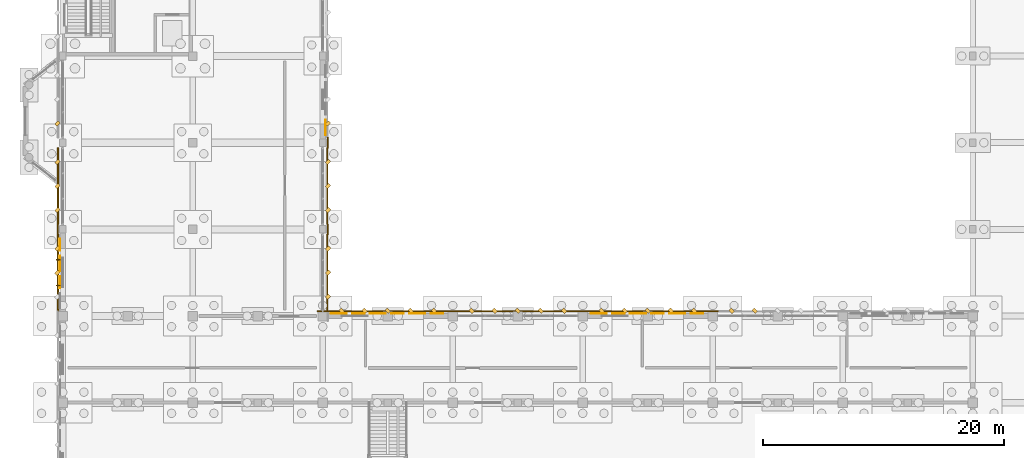
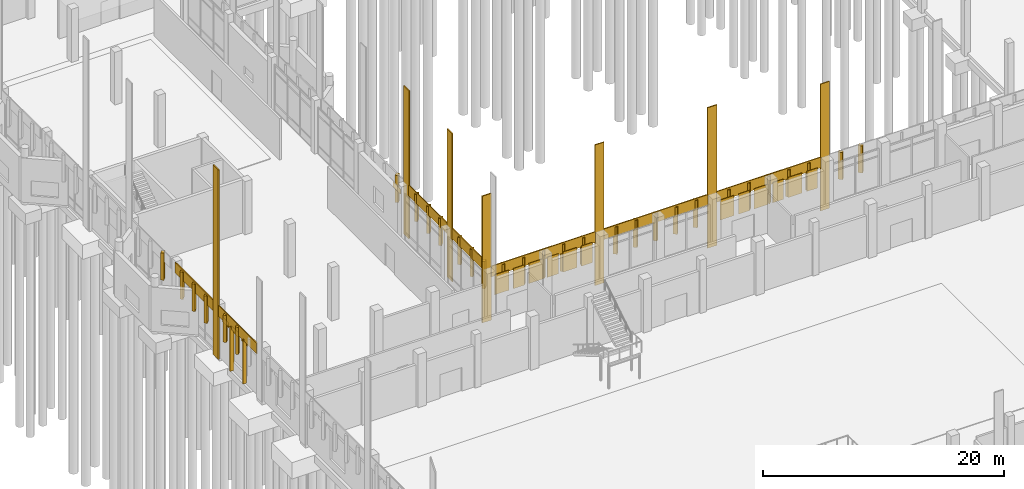
# One storey, part 96 of 109: 62 coverings.
"""IFC4 building model written with IfcOpenShell, lengths in metres."""

from ifc_helpers import new_model, si_unit, direction, frame, origin, origin_2d, place, context, subcontext, project, spatial, rectangle, extrude, material, layer, layer_set, type_object, element, save


model = new_model("IFC4")

# Units and contexts
model_context = context("Model", 3, precision=1e-05, world=origin(), true_north=direction((0.0, 1.0)))
body_context = subcontext(model_context, "Body", "Model", "MODEL_VIEW")
ifc_project = project(units=[si_unit("LENGTHUNIT", "METRE"), si_unit("AREAUNIT", "SQUARE_METRE"), si_unit("VOLUMEUNIT", "CUBIC_METRE"), si_unit("PLANEANGLEUNIT", "RADIAN"), si_unit("MASSUNIT", "GRAM", prefix="KILO")], contexts=[model_context])

# Site, building, storey
site_placement = place(None, origin())
site = spatial("IfcSite", under=ifc_project, at=site_placement, CompositionType="ELEMENT")
building_placement = place(site_placement, origin())
building = spatial("IfcBuilding", under=site, at=building_placement, Name="Lusvemor Sports Hall", CompositionType="ELEMENT")
storey_placement = place(building_placement, origin())
storey = spatial("IfcBuildingStorey", under=building, at=storey_placement, Name="L00", CompositionType="ELEMENT", Elevation=0.0)

# Coverings
ifc_material_1 = material(Name="Precast granite-faced Concrete C40/50 architectural cladding", Category="masonry")
ifc_layer_1 = layer(ifc_material_1, 0.055908203125)
ifc_layer_set_1 = layer_set([ifc_layer_1], Name="Precast granite-faced Concrete C40/50 architectural cladding")
covering_type_1 = type_object("IfcCoveringType", Name="CLAD_RELIEF_FRIEZE", PredefinedType="CLADDING", material=ifc_layer_set_1)
covering_1_placement = place(storey_placement, frame((-0.409912109375, 54.0, 0.0), z_axis=(0.0, 0.0, 1.0), x_axis=(1.0, 0.0, 0.0)))
element("IfcCovering", 1, at=covering_1_placement, inside=storey, type_object=covering_type_1, Name="Art Nouveau Pilaster Cladding Casing 980", PredefinedType="CLADDING", context=body_context, shape_type="SweptSolid", body=[
    extrude(rectangle(XDim=0.10009765625, YDim=0.8798828125, at=origin_2d()), origin(), (0.0, 0.0, 1.0), 19.199951171875),
])
for number, where, z_axis, x_axis, name in (
    (2, (22.010009765625, 54.0, 0.0), (0.0, 0.0, 1.0), (1.0, 0.0, 0.0), "Art Nouveau Pilaster Cladding Casing 1380"),
    (3, (22.010009765625, 61.199951171875, 0.0), (0.0, 0.0, 1.0), (1.0, 0.0, 0.0), "Art Nouveau Pilaster Cladding Casing 1381"),
):
    element("IfcCovering", number, at=place(storey_placement, frame(where, z_axis=z_axis, x_axis=x_axis)), inside=storey, type_object=covering_type_1, Name=name, PredefinedType="CLADDING", context=body_context, shape_type="SweptSolid", body=[
        extrude(rectangle(XDim=0.10009765625, YDim=0.8798828125, at=origin_2d()), origin(), (0.0, 0.0, 1.0), 15.0),
    ])
covering_2_placement = place(storey_placement, frame((21.60009765625, 47.2099609375, 0.0), z_axis=(0.0, 0.0, 1.0), x_axis=(1.0, 0.0, 0.0)))
element("IfcCovering", 4, at=covering_2_placement, inside=storey, type_object=covering_type_1, Name="Art Nouveau Pilaster Cladding Casing 1472", PredefinedType="CLADDING", context=body_context, shape_type="SweptSolid", body=[
    extrude(rectangle(XDim=0.8798828125, YDim=0.10009765625, at=origin_2d()), origin(), (0.0, 0.0, 1.0), 12.844970703125),
])
for number, where, z_axis, x_axis, name in (
    (5, (32.39990234375, 47.2099609375, 0.0), (0.0, 0.0, 1.0), (1.0, 0.0, 0.0), "Art Nouveau Pilaster Cladding Casing 1473"),
    (6, (43.199951171875, 47.2099609375, 0.0), (0.0, 0.0, 1.0), (1.0, 0.0, 0.0), "Art Nouveau Pilaster Cladding Casing 1474"),
):
    element("IfcCovering", number, at=place(storey_placement, frame(where, z_axis=z_axis, x_axis=x_axis)), inside=storey, type_object=covering_type_1, Name=name, PredefinedType="CLADDING", context=body_context, shape_type="SweptSolid", body=[
        extrude(rectangle(XDim=0.8798828125, YDim=0.10009765625, at=origin_2d()), origin(), (0.0, 0.0, 1.0), 14.24951171875),
    ])
covering_3_placement = place(storey_placement, frame((54.0, 47.2099609375, 0.0), z_axis=(0.0, 0.0, 1.0), x_axis=(1.0, 0.0, 0.0)))
element("IfcCovering", 7, at=covering_3_placement, inside=storey, type_object=covering_type_1, Name="Art Nouveau Pilaster Cladding Casing 1475", PredefinedType="CLADDING", context=body_context, shape_type="SweptSolid", body=[
    extrude(rectangle(XDim=0.8798828125, YDim=0.10009765625, at=origin_2d()), origin(), (0.0, 0.0, 1.0), 12.844970703125),
])
ifc_material_2 = material(Name="Emerald polychrome glazed ceramic cladding on Concrete C40/50 backing", Category="concrete")
ifc_layer_2 = layer(ifc_material_2, 0.0458984375)
ifc_layer_set_2 = layer_set([ifc_layer_2], Name="Emerald polychrome glazed ceramic cladding on Concrete C40/50 backing")
covering_type_2 = type_object("IfcCoveringType", Name="CLAD_WAVE_EMERALD", PredefinedType="CLADDING", material=ifc_layer_set_2)
for number, where, z_axis, x_axis, name in (
    (8, (22.925048828125, 47.005615234375, 2.580078125), (0.0, 0.0, 1.0), (1.0, 0.0, 0.0), "Art Nouveau Patterned Cladding PS-V1N0-2-1"),
    (9, (26.18505859375, 47.005615234375, 2.580078125), (0.0, 0.0, 1.0), (1.0, 0.0, 0.0), "Art Nouveau Patterned Cladding PS-V1N0-2-3"),
    (10, (29.445068359375, 47.005615234375, 2.580078125), (0.0, 0.0, 1.0), (1.0, 0.0, 0.0), "Art Nouveau Patterned Cladding PS-V1N0-2-5"),
    (11, (44.52490234375, 47.005615234375, 2.580078125), (0.0, 0.0, 1.0), (1.0, 0.0, 0.0), "Art Nouveau Patterned Cladding PS-V1N0-4-1"),
    (12, (47.784912109375, 47.005615234375, 2.580078125), (0.0, 0.0, 1.0), (1.0, 0.0, 0.0), "Art Nouveau Patterned Cladding PS-V1N0-4-3"),
    (13, (51.044921875, 47.005615234375, 2.580078125), (0.0, 0.0, 1.0), (1.0, 0.0, 0.0), "Art Nouveau Patterned Cladding PS-V1N0-4-5"),
):
    element("IfcCovering", number, at=place(storey_placement, frame(where, z_axis=z_axis, x_axis=x_axis)), inside=storey, type_object=covering_type_2, Name=name, PredefinedType="CLADDING", context=body_context, shape_type="SweptSolid", body=[
        extrude(rectangle(XDim=1.336669921875, YDim=0.0458984375, at=origin_2d()), origin(), (0.0, 0.0, 1.0), 2.0400390625),
    ])
for number, where, z_axis, x_axis, name in (
    (14, (-0.218017578125, 51.175048828125, 3.9248046875), (0.0, 0.0, 1.0), (1.0, 0.0, 0.0), "Art Nouveau Patterned Cladding PS-EW-L00-W-0-0-3"),
    (15, (21.818115234375, 62.47509765625, 3.9248046875), (0.0, 0.0, 1.0), (1.0, 0.0, 0.0), "Art Nouveau Patterned Cladding PS-EW-L00-E-4-2-1"),
):
    element("IfcCovering", number, at=place(storey_placement, frame(where, z_axis=z_axis, x_axis=x_axis)), inside=storey, type_object=covering_type_2, Name=name, PredefinedType="CLADDING", context=body_context, shape_type="SweptSolid", body=[
        extrude(rectangle(XDim=0.0458984375, YDim=1.27099609375, at=origin_2d()), origin(), (0.0, 0.0, 1.0), 0.510009765625),
    ])
for number, where, z_axis, x_axis, name in (
    (16, (-0.43994140625, 50.39990234375, 2.550048828125), (0.0, 0.0, 1.0), (0.707106781187, 0.707106781187, 0.0), "Patterned Diamond Cladding Rib 987"),
    (17, (-0.43994140625, 57.60009765625, 2.550048828125), (0.0, 0.0, 1.0), (0.707106781187, 0.707106781187, 0.0), "Patterned Diamond Cladding Rib 1003"),
    (18, (22.0400390625, 50.39990234375, 2.550048828125), (0.0, 0.0, 1.0), (0.707106781187, 0.707106781187, 0.0), "Patterned Diamond Cladding Rib 1389"),
    (19, (22.0400390625, 57.60009765625, 2.550048828125), (0.0, 0.0, 1.0), (0.707106781187, 0.707106781187, 0.0), "Patterned Diamond Cladding Rib 1401"),
):
    element("IfcCovering", number, at=place(storey_placement, frame(where, z_axis=z_axis, x_axis=x_axis)), inside=storey, type_object=covering_type_2, Name=name, PredefinedType="CLADDING", context=body_context, shape_type="SweptSolid", body=[
        extrude(rectangle(XDim=0.3798828125, YDim=0.280029296875, at=origin_2d()), origin(), (0.0, 0.0, 1.0), 2.75),
    ])
for number, where, z_axis, x_axis, name in (
    (20, (25.080078125, 47.239990234375, 2.550048828125), (0.0, 0.0, 1.0), (0.707106781187, 0.707106781187, 0.0), "Patterned Diamond Cladding Rib 1480"),
    (21, (28.919921875, 47.239990234375, 2.550048828125), (0.0, 0.0, 1.0), (0.707106781187, 0.707106781187, 0.0), "Patterned Diamond Cladding Rib 1482"),
    (22, (35.8798828125, 47.239990234375, 2.550048828125), (0.0, 0.0, 1.0), (0.707106781187, 0.707106781187, 0.0), "Patterned Diamond Cladding Rib 1498"),
    (23, (39.719970703125, 47.239990234375, 2.550048828125), (0.0, 0.0, 1.0), (0.707106781187, 0.707106781187, 0.0), "Patterned Diamond Cladding Rib 1500"),
    (24, (46.679931640625, 47.239990234375, 2.550048828125), (0.0, 0.0, 1.0), (0.707106781187, 0.707106781187, 0.0), "Patterned Diamond Cladding Rib 1516"),
    (25, (50.52001953125, 47.239990234375, 2.550048828125), (0.0, 0.0, 1.0), (0.707106781187, 0.707106781187, 0.0), "Patterned Diamond Cladding Rib 1518"),
    (26, (57.47998046875, 47.239990234375, 2.550048828125), (0.0, 0.0, 1.0), (0.707106781187, 0.707106781187, 0.0), "Patterned Diamond Cladding Rib 1534"),
):
    element("IfcCovering", number, at=place(storey_placement, frame(where, z_axis=z_axis, x_axis=x_axis)), inside=storey, type_object=covering_type_2, Name=name, PredefinedType="CLADDING", context=body_context, shape_type="SweptSolid", body=[
        extrude(rectangle(XDim=0.280029296875, YDim=0.3798828125, at=origin_2d()), origin(), (0.0, 0.0, 1.0), 2.75),
    ])
ifc_material_3 = material(Name="Warm terracotta Art Nouveau ceramic cladding on Concrete C40/50 backing", Category="masonry")
ifc_layer_3 = layer(ifc_material_3, 0.0380859375)
ifc_layer_set_3 = layer_set([ifc_layer_3], Name="Warm terracotta Art Nouveau ceramic cladding on Concrete C40/50 backing")
covering_type_3 = type_object("IfcCoveringType", Name="CLAD_WAVE_OCHRE", PredefinedType="CLADDING", material=ifc_layer_set_3)
for number, where, z_axis, x_axis, name in (
    (27, (24.554931640625, 47.00146484375, 2.580078125), (0.0, 0.0, 1.0), (1.0, 0.0, 0.0), "Art Nouveau Patterned Cladding PS-V1N0-2-2"),
    (28, (27.81494140625, 47.00146484375, 2.580078125), (0.0, 0.0, 1.0), (1.0, 0.0, 0.0), "Art Nouveau Patterned Cladding PS-V1N0-2-4"),
    (29, (31.074951171875, 47.00146484375, 2.580078125), (0.0, 0.0, 1.0), (1.0, 0.0, 0.0), "Art Nouveau Patterned Cladding PS-V1N0-2-6"),
    (30, (46.155029296875, 47.00146484375, 2.580078125), (0.0, 0.0, 1.0), (1.0, 0.0, 0.0), "Art Nouveau Patterned Cladding PS-V1N0-4-2"),
    (31, (49.4150390625, 47.00146484375, 2.580078125), (0.0, 0.0, 1.0), (1.0, 0.0, 0.0), "Art Nouveau Patterned Cladding PS-V1N0-4-4"),
    (32, (52.675048828125, 47.00146484375, 2.580078125), (0.0, 0.0, 1.0), (1.0, 0.0, 0.0), "Art Nouveau Patterned Cladding PS-V1N0-4-6"),
):
    element("IfcCovering", number, at=place(storey_placement, frame(where, z_axis=z_axis, x_axis=x_axis)), inside=storey, type_object=covering_type_3, Name=name, PredefinedType="CLADDING", context=body_context, shape_type="SweptSolid", body=[
        extrude(rectangle(XDim=1.043212890625, YDim=0.0380859375, at=origin_2d()), origin(), (0.0, 0.0, 1.0), 2.0400390625),
    ])
for number, where, z_axis, x_axis, name in (
    (33, (-0.214111328125, 49.625, 3.9248046875), (0.0, 0.0, 1.0), (1.0, 0.0, 0.0), "Art Nouveau Patterned Cladding PS-EW-L00-W-0-0-2"),
    (34, (-0.214111328125, 52.72509765625, 3.9248046875), (0.0, 0.0, 1.0), (1.0, 0.0, 0.0), "Art Nouveau Patterned Cladding PS-EW-L00-W-0-0-4"),
):
    element("IfcCovering", number, at=place(storey_placement, frame(where, z_axis=z_axis, x_axis=x_axis)), inside=storey, type_object=covering_type_3, Name=name, PredefinedType="CLADDING", context=body_context, shape_type="SweptSolid", body=[
        extrude(rectangle(XDim=0.0380859375, YDim=0.991943359375, at=origin_2d()), origin(), (0.0, 0.0, 1.0), 0.510009765625),
    ])
for number, where, z_axis, x_axis, name in (
    (35, (-0.389892578125, 50.39990234375, 4.3798828125), (0.0, 0.0, 1.0), (1.0, 0.0, 0.0), "Art Nouveau Spandrel Cornice 985"),
    (36, (-0.389892578125, 57.60009765625, 4.3798828125), (0.0, 0.0, 1.0), (1.0, 0.0, 0.0), "Art Nouveau Spandrel Cornice 1001"),
    (37, (21.989990234375, 50.39990234375, 4.3798828125), (0.0, 0.0, 1.0), (1.0, 0.0, 0.0), "Art Nouveau Spandrel Cornice 1387"),
    (38, (21.989990234375, 57.60009765625, 4.3798828125), (0.0, 0.0, 1.0), (1.0, 0.0, 0.0), "Art Nouveau Spandrel Cornice 1399"),
):
    element("IfcCovering", number, at=place(storey_placement, frame(where, z_axis=z_axis, x_axis=x_axis)), inside=storey, type_object=covering_type_3, Name=name, PredefinedType="CLADDING", context=body_context, shape_type="SweptSolid", body=[
        extrude(rectangle(XDim=0.090087890625, YDim=6.3798828125, at=origin_2d()), origin(), (0.0, 0.0, 1.0), 1.080078125),
    ])
for number, where, z_axis, x_axis, name in (
    (39, (27.0, 47.18994140625, 4.3798828125), (0.0, 0.0, 1.0), (1.0, 0.0, 0.0), "Art Nouveau Spandrel Cornice 1478"),
    (40, (37.800048828125, 47.18994140625, 4.3798828125), (0.0, 0.0, 1.0), (1.0, 0.0, 0.0), "Art Nouveau Spandrel Cornice 1496"),
    (41, (48.60009765625, 47.18994140625, 4.3798828125), (0.0, 0.0, 1.0), (1.0, 0.0, 0.0), "Art Nouveau Spandrel Cornice 1514"),
):
    element("IfcCovering", number, at=place(storey_placement, frame(where, z_axis=z_axis, x_axis=x_axis)), inside=storey, type_object=covering_type_3, Name=name, PredefinedType="CLADDING", context=body_context, shape_type="SweptSolid", body=[
        extrude(rectangle(XDim=9.97998046875, YDim=0.090087890625, at=origin_2d()), origin(), (0.0, 0.0, 1.0), 1.080078125),
    ])
ifc_material_4 = material(Name="Emerald polychrome glazed ceramic cladding on Concrete C40/50 backing", Category="concrete")
ifc_layer_4 = layer(ifc_material_4, 0.35009765625)
ifc_layer_set_4 = layer_set([ifc_layer_4], Name="Emerald polychrome glazed ceramic cladding on Concrete C40/50 backing")
covering_type_4 = type_object("IfcCoveringType", Name="FIN_BRISE_CER_350", PredefinedType="MOLDING", material=ifc_layer_set_4)
for number, where, z_axis, x_axis, name in (
    (42, (-0.3798828125, 49.340087890625, 0.10009765625), (0.0, 0.0, 1.0), (1.0, 0.0, 0.0), "Wing Brise-Soleil Fin L00-W-0-0-1"),
    (43, (-0.3798828125, 51.4599609375, 0.10009765625), (0.0, 0.0, 1.0), (1.0, 0.0, 0.0), "Wing Brise-Soleil Fin L00-W-0-0-2"),
):
    element("IfcCovering", number, at=place(storey_placement, frame(where, z_axis=z_axis, x_axis=x_axis)), inside=storey, type_object=covering_type_4, Name=name, PredefinedType="MOLDING", context=body_context, shape_type="SweptSolid", body=[
        extrude(rectangle(XDim=0.35009765625, YDim=0.080078125, at=origin_2d()), origin(), (0.0, 0.0, 1.0), 4.52001953125),
    ])
ifc_material_5 = material(Name="Warm terracotta Art Nouveau ceramic cladding on Concrete C40/50 backing", Category="masonry")
ifc_layer_5 = layer(ifc_material_5, 0.449951171875)
ifc_layer_set_5 = layer_set([ifc_layer_5], Name="Warm terracotta Art Nouveau ceramic cladding on Concrete C40/50 backing")
covering_type_5 = type_object("IfcCoveringType", Name="FIN_BRISE_CER_450", PredefinedType="MOLDING", material=ifc_layer_set_5)
for number, where, z_axis, x_axis, name in (
    (44, (-0.43994140625, 52.39990234375, 2.550048828125), (0.0, 0.0, 1.0), (0.707106781187, 0.707106781187, 0.0), "Patterned Diamond Cladding Rib 988"),
    (45, (-0.43994140625, 55.60009765625, 2.550048828125), (0.0, 0.0, 1.0), (0.707106781187, 0.707106781187, 0.0), "Patterned Diamond Cladding Rib 1002"),
    (46, (-0.43994140625, 59.60009765625, 2.550048828125), (0.0, 0.0, 1.0), (0.707106781187, 0.707106781187, 0.0), "Patterned Diamond Cladding Rib 1004"),
    (47, (-0.43994140625, 62.800048828125, 2.550048828125), (0.0, 0.0, 1.0), (0.707106781187, 0.707106781187, 0.0), "Patterned Diamond Cladding Rib 1018"),
    (48, (22.0400390625, 48.39990234375, 2.550048828125), (0.0, 0.0, 1.0), (0.707106781187, 0.707106781187, 0.0), "Patterned Diamond Cladding Rib 1388"),
    (49, (22.0400390625, 52.39990234375, 2.550048828125), (0.0, 0.0, 1.0), (0.707106781187, 0.707106781187, 0.0), "Patterned Diamond Cladding Rib 1390"),
    (50, (22.0400390625, 55.60009765625, 2.550048828125), (0.0, 0.0, 1.0), (0.707106781187, 0.707106781187, 0.0), "Patterned Diamond Cladding Rib 1400"),
    (51, (22.0400390625, 59.60009765625, 2.550048828125), (0.0, 0.0, 1.0), (0.707106781187, 0.707106781187, 0.0), "Patterned Diamond Cladding Rib 1402"),
    (52, (22.0400390625, 62.800048828125, 2.550048828125), (0.0, 0.0, 1.0), (0.707106781187, 0.707106781187, 0.0), "Patterned Diamond Cladding Rib 1412"),
):
    element("IfcCovering", number, at=place(storey_placement, frame(where, z_axis=z_axis, x_axis=x_axis)), inside=storey, type_object=covering_type_5, Name=name, PredefinedType="MOLDING", context=body_context, shape_type="SweptSolid", body=[
        extrude(rectangle(XDim=0.3798828125, YDim=0.280029296875, at=origin_2d()), origin(), (0.0, 0.0, 1.0), 2.75),
    ])
for number, where, z_axis, x_axis, name in (
    (53, (23.159912109375, 47.239990234375, 2.550048828125), (0.0, 0.0, 1.0), (0.707106781187, 0.707106781187, 0.0), "Patterned Diamond Cladding Rib 1479"),
    (54, (27.0, 47.239990234375, 2.550048828125), (0.0, 0.0, 1.0), (0.707106781187, 0.707106781187, 0.0), "Patterned Diamond Cladding Rib 1481"),
    (55, (30.840087890625, 47.239990234375, 2.550048828125), (0.0, 0.0, 1.0), (0.707106781187, 0.707106781187, 0.0), "Patterned Diamond Cladding Rib 1483"),
    (56, (33.9599609375, 47.239990234375, 2.550048828125), (0.0, 0.0, 1.0), (0.707106781187, 0.707106781187, 0.0), "Patterned Diamond Cladding Rib 1497"),
    (57, (37.800048828125, 47.239990234375, 2.550048828125), (0.0, 0.0, 1.0), (0.707106781187, 0.707106781187, 0.0), "Patterned Diamond Cladding Rib 1499"),
    (58, (41.639892578125, 47.239990234375, 2.550048828125), (0.0, 0.0, 1.0), (0.707106781187, 0.707106781187, 0.0), "Patterned Diamond Cladding Rib 1501"),
    (59, (44.760009765625, 47.239990234375, 2.550048828125), (0.0, 0.0, 1.0), (0.707106781187, 0.707106781187, 0.0), "Patterned Diamond Cladding Rib 1515"),
    (60, (48.60009765625, 47.239990234375, 2.550048828125), (0.0, 0.0, 1.0), (0.707106781187, 0.707106781187, 0.0), "Patterned Diamond Cladding Rib 1517"),
    (61, (52.43994140625, 47.239990234375, 2.550048828125), (0.0, 0.0, 1.0), (0.707106781187, 0.707106781187, 0.0), "Patterned Diamond Cladding Rib 1519"),
    (62, (55.56005859375, 47.239990234375, 2.550048828125), (0.0, 0.0, 1.0), (0.707106781187, 0.707106781187, 0.0), "Patterned Diamond Cladding Rib 1533"),
):
    element("IfcCovering", number, at=place(storey_placement, frame(where, z_axis=z_axis, x_axis=x_axis)), inside=storey, type_object=covering_type_5, Name=name, PredefinedType="MOLDING", context=body_context, shape_type="SweptSolid", body=[
        extrude(rectangle(XDim=0.280029296875, YDim=0.3798828125, at=origin_2d()), origin(), (0.0, 0.0, 1.0), 2.75),
    ])

save(model, "model.ifc")
